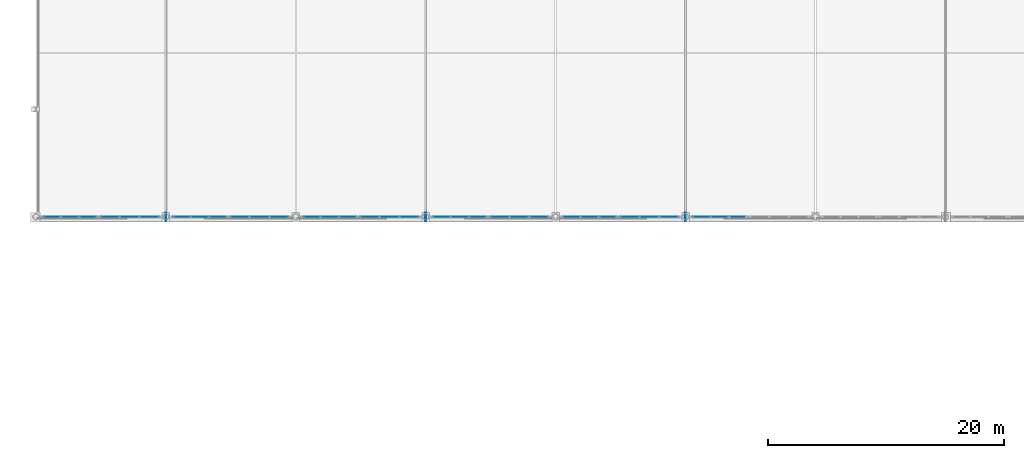
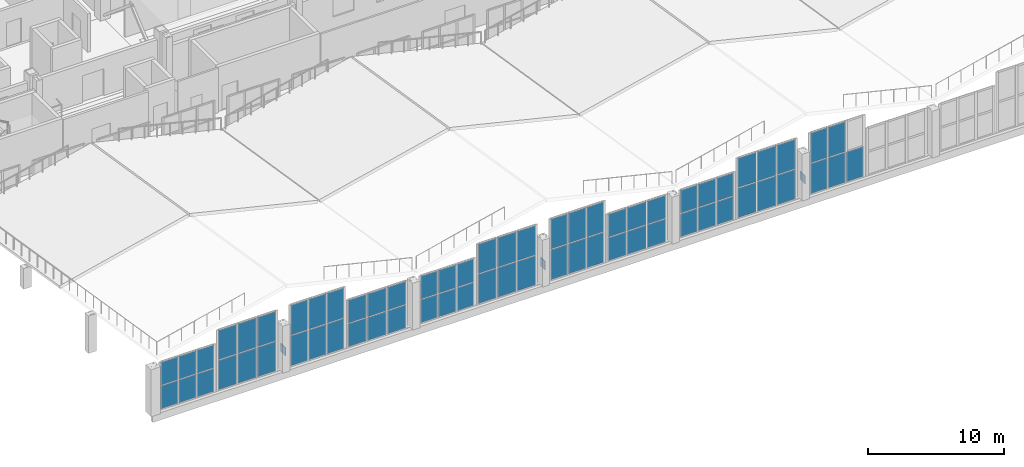
# One storey, part 77 of 120: 68 plates, 11 elements without a shape of their own.
"""IFC4 building model written with IfcOpenShell, lengths in metres."""

from ifc_helpers import new_model, si_unit, direction, frame, origin, origin_2d, place, context, subcontext, project, spatial, rectangle, extrude, material, layer, layer_set, type_object, element, aggregate, save


model = new_model("IFC4")

# Units and contexts
model_context = context("Model", 3, precision=1e-05, world=origin(), true_north=direction((0.0, 1.0)))
body_context = subcontext(model_context, "Body", "Model", "MODEL_VIEW")
ifc_project = project(units=[si_unit("LENGTHUNIT", "METRE"), si_unit("AREAUNIT", "SQUARE_METRE"), si_unit("VOLUMEUNIT", "CUBIC_METRE"), si_unit("PLANEANGLEUNIT", "RADIAN"), si_unit("MASSUNIT", "GRAM", prefix="KILO")], contexts=[model_context])

# Site, building, storey
site_placement = place(None, origin())
site = spatial("IfcSite", under=ifc_project, at=site_placement, CompositionType="ELEMENT")
building_placement = place(site_placement, origin())
building = spatial("IfcBuilding", under=site, at=building_placement, Name="Caurita Quay Ferry Terminal", CompositionType="ELEMENT")
storey_placement = place(building_placement, frame((0.0, 0.0, 9.89990234375)))
storey = spatial("IfcBuildingStorey", under=building, at=storey_placement, Name="L02", CompositionType="ELEMENT", Elevation=9.89990234375)

# Curtain wall, plates
ifc_material_1 = material(Name="Laminated solar-control insulated glass", Category="glass")
curtain_wall_type_1 = type_object("IfcCurtainWallType", Name="CW-SYS-01", PredefinedType="NOTDEFINED", material=ifc_material_1)
curtain_wall_1_placement = place(storey_placement, origin())
curtain_wall_1 = element("IfcCurtainWall", 1, at=curtain_wall_1_placement, inside=storey, type_object=curtain_wall_type_1, Name="Folded Roof Clerestory FB-01-S1", PredefinedType="NOTDEFINED")
ifc_layer_1 = layer(ifc_material_1, 0.028076171875, Name="Laminated low-e hurricane-rated glazing unit 28 mm")
ifc_layer_set_1 = layer_set([ifc_layer_1], Name="Laminated solar-control insulated glass")
plate_type_1 = type_object("IfcPlateType", Name="CW-PNL-28", PredefinedType="CURTAIN_PANEL", material=ifc_layer_set_1)
plate_1_placement = place(storey_placement, frame((1.34375, 34.60009765625, 0.0732421875), z_axis=(0.0, 0.0, 1.0), x_axis=(1.0, 0.0, 0.0)))
plate_1 = element("IfcPlate", 2, at=plate_1_placement, type_object=plate_type_1, Name="CW-CLR-001 Glazing Panel 1", PredefinedType="CURTAIN_PANEL", context=body_context, shape_type="SweptSolid", body=[
    extrude(rectangle(XDim=1.44140625, YDim=0.028076171875, at=origin_2d()), origin(), (0.0, 0.0, 1.0), 2.048095703125),
])
plate_2_placement = place(storey_placement, frame((1.34375, 34.60009765625, 2.19189453125), z_axis=(0.0, 0.0, 1.0), x_axis=(1.0, 0.0, 0.0)))
plate_2 = element("IfcPlate", 3, at=plate_2_placement, type_object=plate_type_1, Name="CW-CLR-001 Glazing Panel 2", PredefinedType="CURTAIN_PANEL", context=body_context, shape_type="SweptSolid", body=[
    extrude(rectangle(XDim=1.44140625, YDim=0.028076171875, at=origin_2d()), origin(), (0.0, 0.0, 1.0), 2.048095703125),
])
plate_3_placement = place(storey_placement, frame((2.875, 34.60009765625, 0.0732421875), z_axis=(0.0, 0.0, 1.0), x_axis=(1.0, 0.0, 0.0)))
plate_3 = element("IfcPlate", 4, at=plate_3_placement, type_object=plate_type_1, Name="CW-CLR-001 Glazing Panel 3", PredefinedType="CURTAIN_PANEL", context=body_context, shape_type="SweptSolid", body=[
    extrude(rectangle(XDim=1.47900390625, YDim=0.028076171875, at=origin_2d()), origin(), (0.0, 0.0, 1.0), 2.048095703125),
])
plate_4_placement = place(storey_placement, frame((2.875, 34.60009765625, 2.19189453125), z_axis=(0.0, 0.0, 1.0), x_axis=(1.0, 0.0, 0.0)))
plate_4 = element("IfcPlate", 5, at=plate_4_placement, type_object=plate_type_1, Name="CW-CLR-001 Glazing Panel 4", PredefinedType="CURTAIN_PANEL", context=body_context, shape_type="SweptSolid", body=[
    extrude(rectangle(XDim=1.47900390625, YDim=0.028076171875, at=origin_2d()), origin(), (0.0, 0.0, 1.0), 2.048095703125),
])
plate_5_placement = place(storey_placement, frame((4.40625, 34.60009765625, 0.0732421875), z_axis=(0.0, 0.0, 1.0), x_axis=(1.0, 0.0, 0.0)))
plate_5 = element("IfcPlate", 6, at=plate_5_placement, type_object=plate_type_1, Name="CW-CLR-001 Glazing Panel 5", PredefinedType="CURTAIN_PANEL", context=body_context, shape_type="SweptSolid", body=[
    extrude(rectangle(XDim=1.44140625, YDim=0.028076171875, at=origin_2d()), origin(), (0.0, 0.0, 1.0), 2.048095703125),
])
plate_6_placement = place(storey_placement, frame((4.40625, 34.60009765625, 2.19189453125), z_axis=(0.0, 0.0, 1.0), x_axis=(1.0, 0.0, 0.0)))
plate_6 = element("IfcPlate", 7, at=plate_6_placement, type_object=plate_type_1, Name="CW-CLR-001 Glazing Panel 6", PredefinedType="CURTAIN_PANEL", context=body_context, shape_type="SweptSolid", body=[
    extrude(rectangle(XDim=1.44140625, YDim=0.028076171875, at=origin_2d()), origin(), (0.0, 0.0, 1.0), 2.048095703125),
])
aggregate(curtain_wall_1, [plate_1, plate_2, plate_3, plate_4, plate_5, plate_6])

curtain_wall_type_2 = type_object("IfcCurtainWallType", Name="CW-SYS-02", PredefinedType="NOTDEFINED", material=ifc_material_1)
curtain_wall_2_placement = place(storey_placement, origin())
curtain_wall_2 = element("IfcCurtainWall", 8, at=curtain_wall_2_placement, inside=storey, type_object=curtain_wall_type_2, Name="Folded Roof Clerestory FB-01-S2", PredefinedType="NOTDEFINED")
plate_7_placement = place(storey_placement, frame((6.260498046875, 34.60009765625, 0.0732421875), z_axis=(0.0, 0.0, 1.0), x_axis=(1.0, 0.0, 0.0)))
plate_7 = element("IfcPlate", 9, at=plate_7_placement, type_object=plate_type_1, Name="CW-CLR-002 Glazing Panel 1", PredefinedType="CURTAIN_PANEL", context=body_context, shape_type="SweptSolid", body=[
    extrude(rectangle(XDim=1.57470703125, YDim=0.028076171875, at=origin_2d()), origin(), (0.0, 0.0, 1.0), 2.6298828125),
])
plate_8_placement = place(storey_placement, frame((6.260498046875, 34.60009765625, 2.774169921875), z_axis=(0.0, 0.0, 1.0), x_axis=(1.0, 0.0, 0.0)))
plate_8 = element("IfcPlate", 10, at=plate_8_placement, type_object=plate_type_1, Name="CW-CLR-002 Glazing Panel 2", PredefinedType="CURTAIN_PANEL", context=body_context, shape_type="SweptSolid", body=[
    extrude(rectangle(XDim=1.57470703125, YDim=0.028076171875, at=origin_2d()), origin(), (0.0, 0.0, 1.0), 2.6298828125),
])
plate_9_placement = place(storey_placement, frame((7.925048828125, 34.60009765625, 0.0732421875), z_axis=(0.0, 0.0, 1.0), x_axis=(1.0, 0.0, 0.0)))
plate_9 = element("IfcPlate", 11, at=plate_9_placement, type_object=plate_type_1, Name="CW-CLR-002 Glazing Panel 3", PredefinedType="CURTAIN_PANEL", context=body_context, shape_type="SweptSolid", body=[
    extrude(rectangle(XDim=1.6123046875, YDim=0.028076171875, at=origin_2d()), origin(), (0.0, 0.0, 1.0), 2.6298828125),
])
plate_10_placement = place(storey_placement, frame((7.925048828125, 34.60009765625, 2.774169921875), z_axis=(0.0, 0.0, 1.0), x_axis=(1.0, 0.0, 0.0)))
plate_10 = element("IfcPlate", 12, at=plate_10_placement, type_object=plate_type_1, Name="CW-CLR-002 Glazing Panel 4", PredefinedType="CURTAIN_PANEL", context=body_context, shape_type="SweptSolid", body=[
    extrude(rectangle(XDim=1.6123046875, YDim=0.028076171875, at=origin_2d()), origin(), (0.0, 0.0, 1.0), 2.6298828125),
])
plate_11_placement = place(storey_placement, frame((9.589599609375, 34.60009765625, 0.0732421875), z_axis=(0.0, 0.0, 1.0), x_axis=(1.0, 0.0, 0.0)))
plate_11 = element("IfcPlate", 13, at=plate_11_placement, type_object=plate_type_1, Name="CW-CLR-002 Glazing Panel 5", PredefinedType="CURTAIN_PANEL", context=body_context, shape_type="SweptSolid", body=[
    extrude(rectangle(XDim=1.57470703125, YDim=0.028076171875, at=origin_2d()), origin(), (0.0, 0.0, 1.0), 2.6298828125),
])
plate_12_placement = place(storey_placement, frame((9.589599609375, 34.60009765625, 2.774169921875), z_axis=(0.0, 0.0, 1.0), x_axis=(1.0, 0.0, 0.0)))
plate_12 = element("IfcPlate", 14, at=plate_12_placement, type_object=plate_type_1, Name="CW-CLR-002 Glazing Panel 6", PredefinedType="CURTAIN_PANEL", context=body_context, shape_type="SweptSolid", body=[
    extrude(rectangle(XDim=1.57470703125, YDim=0.028076171875, at=origin_2d()), origin(), (0.0, 0.0, 1.0), 2.6298828125),
])
aggregate(curtain_wall_2, [plate_7, plate_8, plate_9, plate_10, plate_11, plate_12])

curtain_wall_type_3 = type_object("IfcCurtainWallType", Name="CW-SYS-03", PredefinedType="NOTDEFINED", material=ifc_material_1)
curtain_wall_3_placement = place(storey_placement, origin())
curtain_wall_3 = element("IfcCurtainWall", 15, at=curtain_wall_3_placement, inside=storey, type_object=curtain_wall_type_3, Name="Folded Roof Clerestory FB-01-S3", PredefinedType="NOTDEFINED")
plate_13_placement = place(storey_placement, frame((12.34375, 34.60009765625, 0.0732421875), z_axis=(0.0, 0.0, 1.0), x_axis=(1.0, 0.0, 0.0)))
plate_13 = element("IfcPlate", 16, at=plate_13_placement, type_object=plate_type_1, Name="CW-CLR-003 Glazing Panel 1", PredefinedType="CURTAIN_PANEL", context=body_context, shape_type="SweptSolid", body=[
    extrude(rectangle(XDim=1.44140625, YDim=0.028076171875, at=origin_2d()), origin(), (0.0, 0.0, 1.0), 2.677978515625),
])
plate_14_placement = place(storey_placement, frame((12.34375, 34.60009765625, 2.822265625), z_axis=(0.0, 0.0, 1.0), x_axis=(1.0, 0.0, 0.0)))
plate_14 = element("IfcPlate", 17, at=plate_14_placement, type_object=plate_type_1, Name="CW-CLR-003 Glazing Panel 2", PredefinedType="CURTAIN_PANEL", context=body_context, shape_type="SweptSolid", body=[
    extrude(rectangle(XDim=1.44140625, YDim=0.028076171875, at=origin_2d()), origin(), (0.0, 0.0, 1.0), 2.677978515625),
])
plate_15_placement = place(storey_placement, frame((13.875, 34.60009765625, 0.0732421875), z_axis=(0.0, 0.0, 1.0), x_axis=(1.0, 0.0, 0.0)))
plate_15 = element("IfcPlate", 18, at=plate_15_placement, type_object=plate_type_1, Name="CW-CLR-003 Glazing Panel 3", PredefinedType="CURTAIN_PANEL", context=body_context, shape_type="SweptSolid", body=[
    extrude(rectangle(XDim=1.47900390625, YDim=0.028076171875, at=origin_2d()), origin(), (0.0, 0.0, 1.0), 2.677978515625),
])
plate_16_placement = place(storey_placement, frame((13.875, 34.60009765625, 2.822265625), z_axis=(0.0, 0.0, 1.0), x_axis=(1.0, 0.0, 0.0)))
plate_16 = element("IfcPlate", 19, at=plate_16_placement, type_object=plate_type_1, Name="CW-CLR-003 Glazing Panel 4", PredefinedType="CURTAIN_PANEL", context=body_context, shape_type="SweptSolid", body=[
    extrude(rectangle(XDim=1.47900390625, YDim=0.028076171875, at=origin_2d()), origin(), (0.0, 0.0, 1.0), 2.677978515625),
])
plate_17_placement = place(storey_placement, frame((15.40625, 34.60009765625, 0.0732421875), z_axis=(0.0, 0.0, 1.0), x_axis=(1.0, 0.0, 0.0)))
plate_17 = element("IfcPlate", 20, at=plate_17_placement, type_object=plate_type_1, Name="CW-CLR-003 Glazing Panel 5", PredefinedType="CURTAIN_PANEL", context=body_context, shape_type="SweptSolid", body=[
    extrude(rectangle(XDim=1.44140625, YDim=0.028076171875, at=origin_2d()), origin(), (0.0, 0.0, 1.0), 2.677978515625),
])
plate_18_placement = place(storey_placement, frame((15.40625, 34.60009765625, 2.822265625), z_axis=(0.0, 0.0, 1.0), x_axis=(1.0, 0.0, 0.0)))
plate_18 = element("IfcPlate", 21, at=plate_18_placement, type_object=plate_type_1, Name="CW-CLR-003 Glazing Panel 6", PredefinedType="CURTAIN_PANEL", context=body_context, shape_type="SweptSolid", body=[
    extrude(rectangle(XDim=1.44140625, YDim=0.028076171875, at=origin_2d()), origin(), (0.0, 0.0, 1.0), 2.677978515625),
])
aggregate(curtain_wall_3, [plate_13, plate_14, plate_15, plate_16, plate_17, plate_18])

curtain_wall_type_4 = type_object("IfcCurtainWallType", Name="CW-SYS-04", PredefinedType="NOTDEFINED", material=ifc_material_1)
curtain_wall_4_placement = place(storey_placement, origin())
curtain_wall_4 = element("IfcCurtainWall", 22, at=curtain_wall_4_placement, inside=storey, type_object=curtain_wall_type_4, Name="Folded Roof Clerestory FB-01-S4", PredefinedType="NOTDEFINED")
plate_19_placement = place(storey_placement, frame((17.260498046875, 34.60009765625, 0.0732421875), z_axis=(0.0, 0.0, 1.0), x_axis=(1.0, 0.0, 0.0)))
plate_19 = element("IfcPlate", 23, at=plate_19_placement, type_object=plate_type_1, Name="CW-CLR-004 Glazing Panel 1", PredefinedType="CURTAIN_PANEL", context=body_context, shape_type="SweptSolid", body=[
    extrude(rectangle(XDim=1.57470703125, YDim=0.028076171875, at=origin_2d()), origin(), (0.0, 0.0, 1.0), 2.048095703125),
])
plate_20_placement = place(storey_placement, frame((17.260498046875, 34.60009765625, 2.19189453125), z_axis=(0.0, 0.0, 1.0), x_axis=(1.0, 0.0, 0.0)))
plate_20 = element("IfcPlate", 24, at=plate_20_placement, type_object=plate_type_1, Name="CW-CLR-004 Glazing Panel 2", PredefinedType="CURTAIN_PANEL", context=body_context, shape_type="SweptSolid", body=[
    extrude(rectangle(XDim=1.57470703125, YDim=0.028076171875, at=origin_2d()), origin(), (0.0, 0.0, 1.0), 2.048095703125),
])
plate_21_placement = place(storey_placement, frame((18.925048828125, 34.60009765625, 0.0732421875), z_axis=(0.0, 0.0, 1.0), x_axis=(1.0, 0.0, 0.0)))
plate_21 = element("IfcPlate", 25, at=plate_21_placement, type_object=plate_type_1, Name="CW-CLR-004 Glazing Panel 3", PredefinedType="CURTAIN_PANEL", context=body_context, shape_type="SweptSolid", body=[
    extrude(rectangle(XDim=1.6123046875, YDim=0.028076171875, at=origin_2d()), origin(), (0.0, 0.0, 1.0), 2.048095703125),
])
plate_22_placement = place(storey_placement, frame((18.925048828125, 34.60009765625, 2.19189453125), z_axis=(0.0, 0.0, 1.0), x_axis=(1.0, 0.0, 0.0)))
plate_22 = element("IfcPlate", 26, at=plate_22_placement, type_object=plate_type_1, Name="CW-CLR-004 Glazing Panel 4", PredefinedType="CURTAIN_PANEL", context=body_context, shape_type="SweptSolid", body=[
    extrude(rectangle(XDim=1.6123046875, YDim=0.028076171875, at=origin_2d()), origin(), (0.0, 0.0, 1.0), 2.048095703125),
])
plate_23_placement = place(storey_placement, frame((20.589599609375, 34.60009765625, 0.0732421875), z_axis=(0.0, 0.0, 1.0), x_axis=(1.0, 0.0, 0.0)))
plate_23 = element("IfcPlate", 27, at=plate_23_placement, type_object=plate_type_1, Name="CW-CLR-004 Glazing Panel 5", PredefinedType="CURTAIN_PANEL", context=body_context, shape_type="SweptSolid", body=[
    extrude(rectangle(XDim=1.57470703125, YDim=0.028076171875, at=origin_2d()), origin(), (0.0, 0.0, 1.0), 2.048095703125),
])
plate_24_placement = place(storey_placement, frame((20.589599609375, 34.60009765625, 2.19189453125), z_axis=(0.0, 0.0, 1.0), x_axis=(1.0, 0.0, 0.0)))
plate_24 = element("IfcPlate", 28, at=plate_24_placement, type_object=plate_type_1, Name="CW-CLR-004 Glazing Panel 6", PredefinedType="CURTAIN_PANEL", context=body_context, shape_type="SweptSolid", body=[
    extrude(rectangle(XDim=1.57470703125, YDim=0.028076171875, at=origin_2d()), origin(), (0.0, 0.0, 1.0), 2.048095703125),
])
aggregate(curtain_wall_4, [plate_19, plate_20, plate_21, plate_22, plate_23, plate_24])

curtain_wall_5_placement = place(storey_placement, origin())
curtain_wall_5 = element("IfcCurtainWall", 29, at=curtain_wall_5_placement, inside=storey, type_object=curtain_wall_type_1, Name="Folded Roof Clerestory FB-02-S1", PredefinedType="NOTDEFINED")
plate_25_placement = place(storey_placement, frame((23.34375, 34.60009765625, 0.0732421875), z_axis=(0.0, 0.0, 1.0), x_axis=(1.0, 0.0, 0.0)))
plate_25 = element("IfcPlate", 30, at=plate_25_placement, type_object=plate_type_1, Name="CW-CLR-009 Glazing Panel 1", PredefinedType="CURTAIN_PANEL", context=body_context, shape_type="SweptSolid", body=[
    extrude(rectangle(XDim=1.44140625, YDim=0.028076171875, at=origin_2d()), origin(), (0.0, 0.0, 1.0), 2.048095703125),
])
plate_26_placement = place(storey_placement, frame((23.34375, 34.60009765625, 2.19189453125), z_axis=(0.0, 0.0, 1.0), x_axis=(1.0, 0.0, 0.0)))
plate_26 = element("IfcPlate", 31, at=plate_26_placement, type_object=plate_type_1, Name="CW-CLR-009 Glazing Panel 2", PredefinedType="CURTAIN_PANEL", context=body_context, shape_type="SweptSolid", body=[
    extrude(rectangle(XDim=1.44140625, YDim=0.028076171875, at=origin_2d()), origin(), (0.0, 0.0, 1.0), 2.048095703125),
])
plate_27_placement = place(storey_placement, frame((24.875, 34.60009765625, 0.0732421875), z_axis=(0.0, 0.0, 1.0), x_axis=(1.0, 0.0, 0.0)))
plate_27 = element("IfcPlate", 32, at=plate_27_placement, type_object=plate_type_1, Name="CW-CLR-009 Glazing Panel 3", PredefinedType="CURTAIN_PANEL", context=body_context, shape_type="SweptSolid", body=[
    extrude(rectangle(XDim=1.47900390625, YDim=0.028076171875, at=origin_2d()), origin(), (0.0, 0.0, 1.0), 2.048095703125),
])
plate_28_placement = place(storey_placement, frame((24.875, 34.60009765625, 2.19189453125), z_axis=(0.0, 0.0, 1.0), x_axis=(1.0, 0.0, 0.0)))
plate_28 = element("IfcPlate", 33, at=plate_28_placement, type_object=plate_type_1, Name="CW-CLR-009 Glazing Panel 4", PredefinedType="CURTAIN_PANEL", context=body_context, shape_type="SweptSolid", body=[
    extrude(rectangle(XDim=1.47900390625, YDim=0.028076171875, at=origin_2d()), origin(), (0.0, 0.0, 1.0), 2.048095703125),
])
plate_29_placement = place(storey_placement, frame((26.40625, 34.60009765625, 0.0732421875), z_axis=(0.0, 0.0, 1.0), x_axis=(1.0, 0.0, 0.0)))
plate_29 = element("IfcPlate", 34, at=plate_29_placement, type_object=plate_type_1, Name="CW-CLR-009 Glazing Panel 5", PredefinedType="CURTAIN_PANEL", context=body_context, shape_type="SweptSolid", body=[
    extrude(rectangle(XDim=1.44140625, YDim=0.028076171875, at=origin_2d()), origin(), (0.0, 0.0, 1.0), 2.048095703125),
])
plate_30_placement = place(storey_placement, frame((26.40625, 34.60009765625, 2.19189453125), z_axis=(0.0, 0.0, 1.0), x_axis=(1.0, 0.0, 0.0)))
plate_30 = element("IfcPlate", 35, at=plate_30_placement, type_object=plate_type_1, Name="CW-CLR-009 Glazing Panel 6", PredefinedType="CURTAIN_PANEL", context=body_context, shape_type="SweptSolid", body=[
    extrude(rectangle(XDim=1.44140625, YDim=0.028076171875, at=origin_2d()), origin(), (0.0, 0.0, 1.0), 2.048095703125),
])
aggregate(curtain_wall_5, [plate_25, plate_26, plate_27, plate_28, plate_29, plate_30])

curtain_wall_6_placement = place(storey_placement, origin())
curtain_wall_6 = element("IfcCurtainWall", 36, at=curtain_wall_6_placement, inside=storey, type_object=curtain_wall_type_2, Name="Folded Roof Clerestory FB-02-S2", PredefinedType="NOTDEFINED")
plate_31_placement = place(storey_placement, frame((28.260498046875, 34.60009765625, 0.0732421875), z_axis=(0.0, 0.0, 1.0), x_axis=(1.0, 0.0, 0.0)))
plate_31 = element("IfcPlate", 37, at=plate_31_placement, type_object=plate_type_1, Name="CW-CLR-010 Glazing Panel 1", PredefinedType="CURTAIN_PANEL", context=body_context, shape_type="SweptSolid", body=[
    extrude(rectangle(XDim=1.57470703125, YDim=0.028076171875, at=origin_2d()), origin(), (0.0, 0.0, 1.0), 2.6298828125),
])
plate_32_placement = place(storey_placement, frame((28.260498046875, 34.60009765625, 2.774169921875), z_axis=(0.0, 0.0, 1.0), x_axis=(1.0, 0.0, 0.0)))
plate_32 = element("IfcPlate", 38, at=plate_32_placement, type_object=plate_type_1, Name="CW-CLR-010 Glazing Panel 2", PredefinedType="CURTAIN_PANEL", context=body_context, shape_type="SweptSolid", body=[
    extrude(rectangle(XDim=1.57470703125, YDim=0.028076171875, at=origin_2d()), origin(), (0.0, 0.0, 1.0), 2.6298828125),
])
plate_33_placement = place(storey_placement, frame((29.925048828125, 34.60009765625, 0.0732421875), z_axis=(0.0, 0.0, 1.0), x_axis=(1.0, 0.0, 0.0)))
plate_33 = element("IfcPlate", 39, at=plate_33_placement, type_object=plate_type_1, Name="CW-CLR-010 Glazing Panel 3", PredefinedType="CURTAIN_PANEL", context=body_context, shape_type="SweptSolid", body=[
    extrude(rectangle(XDim=1.6123046875, YDim=0.028076171875, at=origin_2d()), origin(), (0.0, 0.0, 1.0), 2.6298828125),
])
plate_34_placement = place(storey_placement, frame((29.925048828125, 34.60009765625, 2.774169921875), z_axis=(0.0, 0.0, 1.0), x_axis=(1.0, 0.0, 0.0)))
plate_34 = element("IfcPlate", 40, at=plate_34_placement, type_object=plate_type_1, Name="CW-CLR-010 Glazing Panel 4", PredefinedType="CURTAIN_PANEL", context=body_context, shape_type="SweptSolid", body=[
    extrude(rectangle(XDim=1.6123046875, YDim=0.028076171875, at=origin_2d()), origin(), (0.0, 0.0, 1.0), 2.6298828125),
])
plate_35_placement = place(storey_placement, frame((31.589599609375, 34.60009765625, 0.0732421875), z_axis=(0.0, 0.0, 1.0), x_axis=(1.0, 0.0, 0.0)))
plate_35 = element("IfcPlate", 41, at=plate_35_placement, type_object=plate_type_1, Name="CW-CLR-010 Glazing Panel 5", PredefinedType="CURTAIN_PANEL", context=body_context, shape_type="SweptSolid", body=[
    extrude(rectangle(XDim=1.57470703125, YDim=0.028076171875, at=origin_2d()), origin(), (0.0, 0.0, 1.0), 2.6298828125),
])
plate_36_placement = place(storey_placement, frame((31.589599609375, 34.60009765625, 2.774169921875), z_axis=(0.0, 0.0, 1.0), x_axis=(1.0, 0.0, 0.0)))
plate_36 = element("IfcPlate", 42, at=plate_36_placement, type_object=plate_type_1, Name="CW-CLR-010 Glazing Panel 6", PredefinedType="CURTAIN_PANEL", context=body_context, shape_type="SweptSolid", body=[
    extrude(rectangle(XDim=1.57470703125, YDim=0.028076171875, at=origin_2d()), origin(), (0.0, 0.0, 1.0), 2.6298828125),
])
aggregate(curtain_wall_6, [plate_31, plate_32, plate_33, plate_34, plate_35, plate_36])

curtain_wall_7_placement = place(storey_placement, origin())
curtain_wall_7 = element("IfcCurtainWall", 43, at=curtain_wall_7_placement, inside=storey, type_object=curtain_wall_type_3, Name="Folded Roof Clerestory FB-02-S3", PredefinedType="NOTDEFINED")
plate_37_placement = place(storey_placement, frame((34.34375, 34.60009765625, 0.0732421875), z_axis=(0.0, 0.0, 1.0), x_axis=(1.0, 0.0, 0.0)))
plate_37 = element("IfcPlate", 44, at=plate_37_placement, type_object=plate_type_1, Name="CW-CLR-011 Glazing Panel 1", PredefinedType="CURTAIN_PANEL", context=body_context, shape_type="SweptSolid", body=[
    extrude(rectangle(XDim=1.44140625, YDim=0.028076171875, at=origin_2d()), origin(), (0.0, 0.0, 1.0), 2.677978515625),
])
plate_38_placement = place(storey_placement, frame((34.34375, 34.60009765625, 2.822265625), z_axis=(0.0, 0.0, 1.0), x_axis=(1.0, 0.0, 0.0)))
plate_38 = element("IfcPlate", 45, at=plate_38_placement, type_object=plate_type_1, Name="CW-CLR-011 Glazing Panel 2", PredefinedType="CURTAIN_PANEL", context=body_context, shape_type="SweptSolid", body=[
    extrude(rectangle(XDim=1.44140625, YDim=0.028076171875, at=origin_2d()), origin(), (0.0, 0.0, 1.0), 2.677978515625),
])
plate_39_placement = place(storey_placement, frame((35.875, 34.60009765625, 0.0732421875), z_axis=(0.0, 0.0, 1.0), x_axis=(1.0, 0.0, 0.0)))
plate_39 = element("IfcPlate", 46, at=plate_39_placement, type_object=plate_type_1, Name="CW-CLR-011 Glazing Panel 3", PredefinedType="CURTAIN_PANEL", context=body_context, shape_type="SweptSolid", body=[
    extrude(rectangle(XDim=1.47900390625, YDim=0.028076171875, at=origin_2d()), origin(), (0.0, 0.0, 1.0), 2.677978515625),
])
plate_40_placement = place(storey_placement, frame((35.875, 34.60009765625, 2.822265625), z_axis=(0.0, 0.0, 1.0), x_axis=(1.0, 0.0, 0.0)))
plate_40 = element("IfcPlate", 47, at=plate_40_placement, type_object=plate_type_1, Name="CW-CLR-011 Glazing Panel 4", PredefinedType="CURTAIN_PANEL", context=body_context, shape_type="SweptSolid", body=[
    extrude(rectangle(XDim=1.47900390625, YDim=0.028076171875, at=origin_2d()), origin(), (0.0, 0.0, 1.0), 2.677978515625),
])
plate_41_placement = place(storey_placement, frame((37.40625, 34.60009765625, 0.0732421875), z_axis=(0.0, 0.0, 1.0), x_axis=(1.0, 0.0, 0.0)))
plate_41 = element("IfcPlate", 48, at=plate_41_placement, type_object=plate_type_1, Name="CW-CLR-011 Glazing Panel 5", PredefinedType="CURTAIN_PANEL", context=body_context, shape_type="SweptSolid", body=[
    extrude(rectangle(XDim=1.44140625, YDim=0.028076171875, at=origin_2d()), origin(), (0.0, 0.0, 1.0), 2.677978515625),
])
plate_42_placement = place(storey_placement, frame((37.40625, 34.60009765625, 2.822265625), z_axis=(0.0, 0.0, 1.0), x_axis=(1.0, 0.0, 0.0)))
plate_42 = element("IfcPlate", 49, at=plate_42_placement, type_object=plate_type_1, Name="CW-CLR-011 Glazing Panel 6", PredefinedType="CURTAIN_PANEL", context=body_context, shape_type="SweptSolid", body=[
    extrude(rectangle(XDim=1.44140625, YDim=0.028076171875, at=origin_2d()), origin(), (0.0, 0.0, 1.0), 2.677978515625),
])
aggregate(curtain_wall_7, [plate_37, plate_38, plate_39, plate_40, plate_41, plate_42])

curtain_wall_8_placement = place(storey_placement, origin())
curtain_wall_8 = element("IfcCurtainWall", 50, at=curtain_wall_8_placement, inside=storey, type_object=curtain_wall_type_4, Name="Folded Roof Clerestory FB-02-S4", PredefinedType="NOTDEFINED")
plate_43_placement = place(storey_placement, frame((39.260498046875, 34.60009765625, 0.0732421875), z_axis=(0.0, 0.0, 1.0), x_axis=(1.0, 0.0, 0.0)))
plate_43 = element("IfcPlate", 51, at=plate_43_placement, type_object=plate_type_1, Name="CW-CLR-012 Glazing Panel 1", PredefinedType="CURTAIN_PANEL", context=body_context, shape_type="SweptSolid", body=[
    extrude(rectangle(XDim=1.57470703125, YDim=0.028076171875, at=origin_2d()), origin(), (0.0, 0.0, 1.0), 2.048095703125),
])
plate_44_placement = place(storey_placement, frame((39.260498046875, 34.60009765625, 2.19189453125), z_axis=(0.0, 0.0, 1.0), x_axis=(1.0, 0.0, 0.0)))
plate_44 = element("IfcPlate", 52, at=plate_44_placement, type_object=plate_type_1, Name="CW-CLR-012 Glazing Panel 2", PredefinedType="CURTAIN_PANEL", context=body_context, shape_type="SweptSolid", body=[
    extrude(rectangle(XDim=1.57470703125, YDim=0.028076171875, at=origin_2d()), origin(), (0.0, 0.0, 1.0), 2.048095703125),
])
plate_45_placement = place(storey_placement, frame((40.925048828125, 34.60009765625, 0.0732421875), z_axis=(0.0, 0.0, 1.0), x_axis=(1.0, 0.0, 0.0)))
plate_45 = element("IfcPlate", 53, at=plate_45_placement, type_object=plate_type_1, Name="CW-CLR-012 Glazing Panel 3", PredefinedType="CURTAIN_PANEL", context=body_context, shape_type="SweptSolid", body=[
    extrude(rectangle(XDim=1.6123046875, YDim=0.028076171875, at=origin_2d()), origin(), (0.0, 0.0, 1.0), 2.048095703125),
])
plate_46_placement = place(storey_placement, frame((40.925048828125, 34.60009765625, 2.19189453125), z_axis=(0.0, 0.0, 1.0), x_axis=(1.0, 0.0, 0.0)))
plate_46 = element("IfcPlate", 54, at=plate_46_placement, type_object=plate_type_1, Name="CW-CLR-012 Glazing Panel 4", PredefinedType="CURTAIN_PANEL", context=body_context, shape_type="SweptSolid", body=[
    extrude(rectangle(XDim=1.6123046875, YDim=0.028076171875, at=origin_2d()), origin(), (0.0, 0.0, 1.0), 2.048095703125),
])
plate_47_placement = place(storey_placement, frame((42.589599609375, 34.60009765625, 0.0732421875), z_axis=(0.0, 0.0, 1.0), x_axis=(1.0, 0.0, 0.0)))
plate_47 = element("IfcPlate", 55, at=plate_47_placement, type_object=plate_type_1, Name="CW-CLR-012 Glazing Panel 5", PredefinedType="CURTAIN_PANEL", context=body_context, shape_type="SweptSolid", body=[
    extrude(rectangle(XDim=1.57470703125, YDim=0.028076171875, at=origin_2d()), origin(), (0.0, 0.0, 1.0), 2.048095703125),
])
plate_48_placement = place(storey_placement, frame((42.589599609375, 34.60009765625, 2.19189453125), z_axis=(0.0, 0.0, 1.0), x_axis=(1.0, 0.0, 0.0)))
plate_48 = element("IfcPlate", 56, at=plate_48_placement, type_object=plate_type_1, Name="CW-CLR-012 Glazing Panel 6", PredefinedType="CURTAIN_PANEL", context=body_context, shape_type="SweptSolid", body=[
    extrude(rectangle(XDim=1.57470703125, YDim=0.028076171875, at=origin_2d()), origin(), (0.0, 0.0, 1.0), 2.048095703125),
])
aggregate(curtain_wall_8, [plate_43, plate_44, plate_45, plate_46, plate_47, plate_48])

curtain_wall_9_placement = place(storey_placement, origin())
curtain_wall_9 = element("IfcCurtainWall", 57, at=curtain_wall_9_placement, inside=storey, type_object=curtain_wall_type_1, Name="Folded Roof Clerestory FB-03-S1", PredefinedType="NOTDEFINED")
plate_49_placement = place(storey_placement, frame((45.34375, 34.60009765625, 0.0732421875), z_axis=(0.0, 0.0, 1.0), x_axis=(1.0, 0.0, 0.0)))
plate_49 = element("IfcPlate", 58, at=plate_49_placement, type_object=plate_type_1, Name="CW-CLR-017 Glazing Panel 1", PredefinedType="CURTAIN_PANEL", context=body_context, shape_type="SweptSolid", body=[
    extrude(rectangle(XDim=1.44140625, YDim=0.028076171875, at=origin_2d()), origin(), (0.0, 0.0, 1.0), 2.048095703125),
])
plate_50_placement = place(storey_placement, frame((45.34375, 34.60009765625, 2.19189453125), z_axis=(0.0, 0.0, 1.0), x_axis=(1.0, 0.0, 0.0)))
plate_50 = element("IfcPlate", 59, at=plate_50_placement, type_object=plate_type_1, Name="CW-CLR-017 Glazing Panel 2", PredefinedType="CURTAIN_PANEL", context=body_context, shape_type="SweptSolid", body=[
    extrude(rectangle(XDim=1.44140625, YDim=0.028076171875, at=origin_2d()), origin(), (0.0, 0.0, 1.0), 2.048095703125),
])
plate_51_placement = place(storey_placement, frame((46.875, 34.60009765625, 0.0732421875), z_axis=(0.0, 0.0, 1.0), x_axis=(1.0, 0.0, 0.0)))
plate_51 = element("IfcPlate", 60, at=plate_51_placement, type_object=plate_type_1, Name="CW-CLR-017 Glazing Panel 3", PredefinedType="CURTAIN_PANEL", context=body_context, shape_type="SweptSolid", body=[
    extrude(rectangle(XDim=1.47900390625, YDim=0.028076171875, at=origin_2d()), origin(), (0.0, 0.0, 1.0), 2.048095703125),
])
plate_52_placement = place(storey_placement, frame((46.875, 34.60009765625, 2.19189453125), z_axis=(0.0, 0.0, 1.0), x_axis=(1.0, 0.0, 0.0)))
plate_52 = element("IfcPlate", 61, at=plate_52_placement, type_object=plate_type_1, Name="CW-CLR-017 Glazing Panel 4", PredefinedType="CURTAIN_PANEL", context=body_context, shape_type="SweptSolid", body=[
    extrude(rectangle(XDim=1.47900390625, YDim=0.028076171875, at=origin_2d()), origin(), (0.0, 0.0, 1.0), 2.048095703125),
])
plate_53_placement = place(storey_placement, frame((48.40625, 34.60009765625, 0.0732421875), z_axis=(0.0, 0.0, 1.0), x_axis=(1.0, 0.0, 0.0)))
plate_53 = element("IfcPlate", 62, at=plate_53_placement, type_object=plate_type_1, Name="CW-CLR-017 Glazing Panel 5", PredefinedType="CURTAIN_PANEL", context=body_context, shape_type="SweptSolid", body=[
    extrude(rectangle(XDim=1.44140625, YDim=0.028076171875, at=origin_2d()), origin(), (0.0, 0.0, 1.0), 2.048095703125),
])
plate_54_placement = place(storey_placement, frame((48.40625, 34.60009765625, 2.19189453125), z_axis=(0.0, 0.0, 1.0), x_axis=(1.0, 0.0, 0.0)))
plate_54 = element("IfcPlate", 63, at=plate_54_placement, type_object=plate_type_1, Name="CW-CLR-017 Glazing Panel 6", PredefinedType="CURTAIN_PANEL", context=body_context, shape_type="SweptSolid", body=[
    extrude(rectangle(XDim=1.44140625, YDim=0.028076171875, at=origin_2d()), origin(), (0.0, 0.0, 1.0), 2.048095703125),
])
aggregate(curtain_wall_9, [plate_49, plate_50, plate_51, plate_52, plate_53, plate_54])

curtain_wall_10_placement = place(storey_placement, origin())
curtain_wall_10 = element("IfcCurtainWall", 64, at=curtain_wall_10_placement, inside=storey, type_object=curtain_wall_type_2, Name="Folded Roof Clerestory FB-03-S2", PredefinedType="NOTDEFINED")
plate_55_placement = place(storey_placement, frame((50.260498046875, 34.60009765625, 0.0732421875), z_axis=(0.0, 0.0, 1.0), x_axis=(1.0, 0.0, 0.0)))
plate_55 = element("IfcPlate", 65, at=plate_55_placement, type_object=plate_type_1, Name="CW-CLR-018 Glazing Panel 1", PredefinedType="CURTAIN_PANEL", context=body_context, shape_type="SweptSolid", body=[
    extrude(rectangle(XDim=1.57470703125, YDim=0.028076171875, at=origin_2d()), origin(), (0.0, 0.0, 1.0), 2.6298828125),
])
plate_56_placement = place(storey_placement, frame((50.260498046875, 34.60009765625, 2.774169921875), z_axis=(0.0, 0.0, 1.0), x_axis=(1.0, 0.0, 0.0)))
plate_56 = element("IfcPlate", 66, at=plate_56_placement, type_object=plate_type_1, Name="CW-CLR-018 Glazing Panel 2", PredefinedType="CURTAIN_PANEL", context=body_context, shape_type="SweptSolid", body=[
    extrude(rectangle(XDim=1.57470703125, YDim=0.028076171875, at=origin_2d()), origin(), (0.0, 0.0, 1.0), 2.6298828125),
])
plate_57_placement = place(storey_placement, frame((51.925048828125, 34.60009765625, 0.0732421875), z_axis=(0.0, 0.0, 1.0), x_axis=(1.0, 0.0, 0.0)))
plate_57 = element("IfcPlate", 67, at=plate_57_placement, type_object=plate_type_1, Name="CW-CLR-018 Glazing Panel 3", PredefinedType="CURTAIN_PANEL", context=body_context, shape_type="SweptSolid", body=[
    extrude(rectangle(XDim=1.6123046875, YDim=0.028076171875, at=origin_2d()), origin(), (0.0, 0.0, 1.0), 2.6298828125),
])
plate_58_placement = place(storey_placement, frame((51.925048828125, 34.60009765625, 2.774169921875), z_axis=(0.0, 0.0, 1.0), x_axis=(1.0, 0.0, 0.0)))
plate_58 = element("IfcPlate", 68, at=plate_58_placement, type_object=plate_type_1, Name="CW-CLR-018 Glazing Panel 4", PredefinedType="CURTAIN_PANEL", context=body_context, shape_type="SweptSolid", body=[
    extrude(rectangle(XDim=1.6123046875, YDim=0.028076171875, at=origin_2d()), origin(), (0.0, 0.0, 1.0), 2.6298828125),
])
plate_59_placement = place(storey_placement, frame((53.589599609375, 34.60009765625, 0.0732421875), z_axis=(0.0, 0.0, 1.0), x_axis=(1.0, 0.0, 0.0)))
plate_59 = element("IfcPlate", 69, at=plate_59_placement, type_object=plate_type_1, Name="CW-CLR-018 Glazing Panel 5", PredefinedType="CURTAIN_PANEL", context=body_context, shape_type="SweptSolid", body=[
    extrude(rectangle(XDim=1.57470703125, YDim=0.028076171875, at=origin_2d()), origin(), (0.0, 0.0, 1.0), 2.6298828125),
])
plate_60_placement = place(storey_placement, frame((53.589599609375, 34.60009765625, 2.774169921875), z_axis=(0.0, 0.0, 1.0), x_axis=(1.0, 0.0, 0.0)))
plate_60 = element("IfcPlate", 70, at=plate_60_placement, type_object=plate_type_1, Name="CW-CLR-018 Glazing Panel 6", PredefinedType="CURTAIN_PANEL", context=body_context, shape_type="SweptSolid", body=[
    extrude(rectangle(XDim=1.57470703125, YDim=0.028076171875, at=origin_2d()), origin(), (0.0, 0.0, 1.0), 2.6298828125),
])
aggregate(curtain_wall_10, [plate_55, plate_56, plate_57, plate_58, plate_59, plate_60])

curtain_wall_11_placement = place(storey_placement, origin())
curtain_wall_11 = element("IfcCurtainWall", 71, at=curtain_wall_11_placement, inside=storey, type_object=curtain_wall_type_3, Name="Folded Roof Clerestory FB-03-S3", PredefinedType="NOTDEFINED")
plate_61_placement = place(storey_placement, frame((56.34375, 34.60009765625, 0.0732421875), z_axis=(0.0, 0.0, 1.0), x_axis=(1.0, 0.0, 0.0)))
plate_61 = element("IfcPlate", 72, at=plate_61_placement, type_object=plate_type_1, Name="CW-CLR-019 Glazing Panel 1", PredefinedType="CURTAIN_PANEL", context=body_context, shape_type="SweptSolid", body=[
    extrude(rectangle(XDim=1.44140625, YDim=0.028076171875, at=origin_2d()), origin(), (0.0, 0.0, 1.0), 2.677978515625),
])
plate_62_placement = place(storey_placement, frame((56.34375, 34.60009765625, 2.822265625), z_axis=(0.0, 0.0, 1.0), x_axis=(1.0, 0.0, 0.0)))
plate_62 = element("IfcPlate", 73, at=plate_62_placement, type_object=plate_type_1, Name="CW-CLR-019 Glazing Panel 2", PredefinedType="CURTAIN_PANEL", context=body_context, shape_type="SweptSolid", body=[
    extrude(rectangle(XDim=1.44140625, YDim=0.028076171875, at=origin_2d()), origin(), (0.0, 0.0, 1.0), 2.677978515625),
])
plate_63_placement = place(storey_placement, frame((57.875, 34.60009765625, 0.0732421875), z_axis=(0.0, 0.0, 1.0), x_axis=(1.0, 0.0, 0.0)))
plate_63 = element("IfcPlate", 74, at=plate_63_placement, type_object=plate_type_1, Name="CW-CLR-019 Glazing Panel 3", PredefinedType="CURTAIN_PANEL", context=body_context, shape_type="SweptSolid", body=[
    extrude(rectangle(XDim=1.47900390625, YDim=0.028076171875, at=origin_2d()), origin(), (0.0, 0.0, 1.0), 2.677978515625),
])
plate_64_placement = place(storey_placement, frame((57.875, 34.60009765625, 2.822265625), z_axis=(0.0, 0.0, 1.0), x_axis=(1.0, 0.0, 0.0)))
plate_64 = element("IfcPlate", 75, at=plate_64_placement, type_object=plate_type_1, Name="CW-CLR-019 Glazing Panel 4", PredefinedType="CURTAIN_PANEL", context=body_context, shape_type="SweptSolid", body=[
    extrude(rectangle(XDim=1.47900390625, YDim=0.028076171875, at=origin_2d()), origin(), (0.0, 0.0, 1.0), 2.677978515625),
])
plate_65_placement = place(storey_placement, frame((59.40625, 34.60009765625, 0.0732421875), z_axis=(0.0, 0.0, 1.0), x_axis=(1.0, 0.0, 0.0)))
plate_65 = element("IfcPlate", 76, at=plate_65_placement, type_object=plate_type_1, Name="CW-CLR-019 Glazing Panel 5", PredefinedType="CURTAIN_PANEL", context=body_context, shape_type="SweptSolid", body=[
    extrude(rectangle(XDim=1.44140625, YDim=0.028076171875, at=origin_2d()), origin(), (0.0, 0.0, 1.0), 2.677978515625),
])
aggregate(curtain_wall_11, [plate_61, plate_62, plate_63, plate_64, plate_65])

# Plates
ifc_material_2 = material(Name="Structural plate steel ASTM A572 Gr. 50", Category="steel")
ifc_layer_2 = layer(ifc_material_2, 0.048095703125, Name="Structural steel connection plate 48 mm")
ifc_layer_set_2 = layer_set([ifc_layer_2], Name="Structural plate steel ASTM A572 Gr. 50")
plate_type_2 = type_object("IfcPlateType", Name="PLT-STL-48", PredefinedType="USERDEFINED", material=ifc_layer_set_2)
for number, where, z_axis, x_axis, name in (
    (77, (11.0, 34.60009765625, 1.375), (0.0, 0.0, 1.0), (1.0, 0.0, 0.0), "Mast Collar Stay-Cable Gusset Plate V1-02-S"),
    (78, (33.0, 34.60009765625, 1.375), (0.0, 0.0, 1.0), (1.0, 0.0, 0.0), "Mast Collar Stay-Cable Gusset Plate V1-04-S"),
    (79, (55.0, 34.60009765625, 1.375), (0.0, 0.0, 1.0), (1.0, 0.0, 0.0), "Mast Collar Stay-Cable Gusset Plate V1-06-S"),
):
    element("IfcPlate", number, at=place(storey_placement, frame(where, z_axis=z_axis, x_axis=x_axis)), inside=storey, type_object=plate_type_2, Name=name, ObjectType="GUSSET PLATE", PredefinedType="USERDEFINED", context=body_context, shape_type="SweptSolid", body=[
        extrude(rectangle(XDim=0.048095703125, YDim=0.719970703125, at=origin_2d()), origin(), (0.0, 0.0, 1.0), 0.75),
    ])

save(model, "model.ifc")
